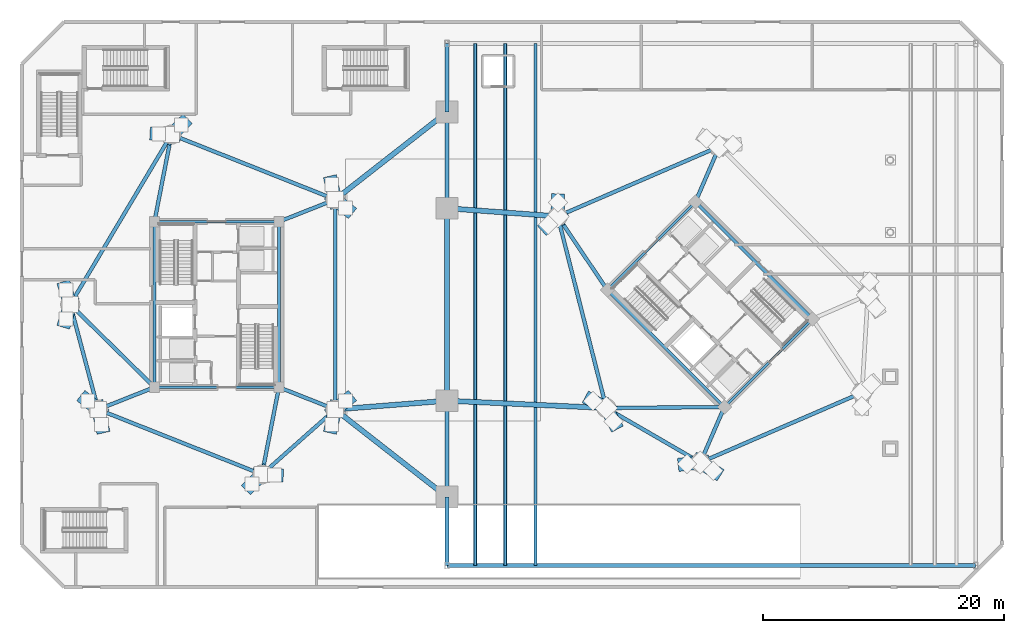
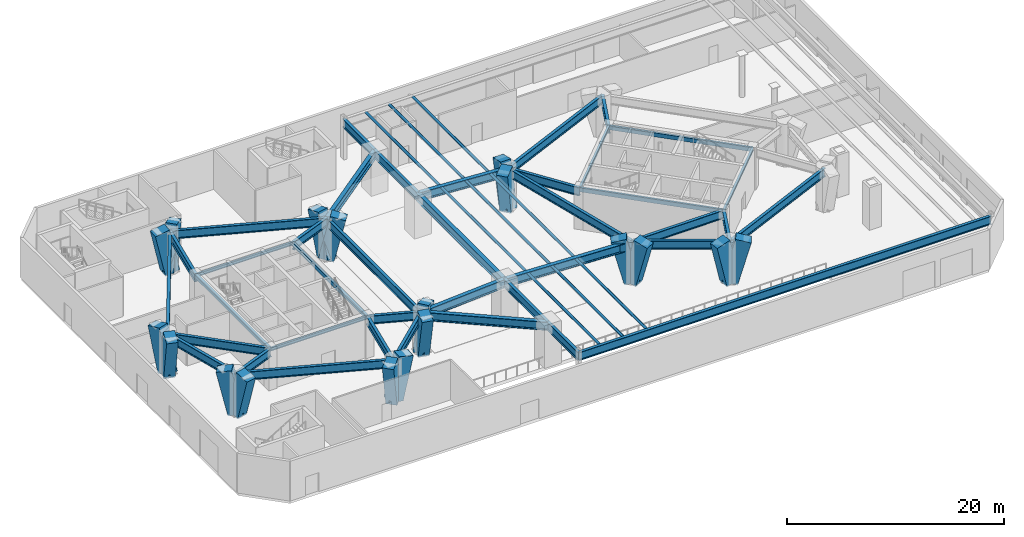
# One storey, part 3 of 17: 39 beams, 21 members.
"""IFC4 building model written with IfcOpenShell, lengths in metres."""

from ifc_helpers import new_model, si_unit, direction, frame, origin, origin_2d, place, context, subcontext, project, spatial, rectangle, hollow_rectangle, hollow_circle, i_section, extrude, material, material_profile, profile_set, type_object, element, save


model = new_model("IFC4")

# Units and contexts
model_context = context("Model", 3, precision=1e-05, world=origin(), true_north=direction((0.0, 1.0)))
body_context = subcontext(model_context, "Body", "Model", "MODEL_VIEW")
ifc_project = project(units=[si_unit("LENGTHUNIT", "METRE"), si_unit("AREAUNIT", "SQUARE_METRE"), si_unit("VOLUMEUNIT", "CUBIC_METRE"), si_unit("PLANEANGLEUNIT", "RADIAN"), si_unit("MASSUNIT", "GRAM", prefix="KILO")], contexts=[model_context])

# Site, building, storey
site_placement = place(None, origin())
site = spatial("IfcSite", under=ifc_project, at=site_placement, CompositionType="ELEMENT")
building_placement = place(site_placement, origin())
building = spatial("IfcBuilding", under=site, at=building_placement, Name="Cununo Teusaquillo Station Towers", CompositionType="ELEMENT")
storey_placement = place(building_placement, origin())
storey = spatial("IfcBuildingStorey", under=building, at=storey_placement, Name="L00", CompositionType="ELEMENT", Elevation=0.0)

# Beams
ifc_material_1 = material(Name="Steel EN 10025-2 S355J2", Category="steel")
ifc_material_profile_1 = material_profile(ifc_material_1, hollow_rectangle(XDim=0.25, YDim=0.449951171875, WallThickness=0.01611328125, at=origin_2d()), Name="RHS 450x250x16")
ifc_profile_set_1 = profile_set([ifc_material_profile_1], Name="Steel EN 10025-2 S355J2")
beam_type_1 = type_object("IfcBeamType", Name="BM-COUP-1", PredefinedType="USERDEFINED", material=ifc_profile_set_1)
for number, where, z_axis, x_axis, name in (
    (1, (11.324951171875, 17.6201171875, 4.27490234375), (0.0, 1.0, 0.0), (-1.0, 0.0, 0.0), "L00 Tower A Core Beam 1"),
    (2, (21.675048828125, 17.6201171875, 4.27490234375), (0.0, 1.0, 0.0), (-1.0, 0.0, 0.0), "L00 Tower A Core Beam 2"),
):
    element("IfcBeam", number, at=place(storey_placement, frame(where, z_axis=z_axis, x_axis=x_axis)), inside=storey, type_object=beam_type_1, Name=name, ObjectType="COUPLING BEAM", PredefinedType="USERDEFINED", context=body_context, shape_type="SweptSolid", body=[
        extrude(hollow_rectangle(XDim=0.25, YDim=0.449951171875, WallThickness=0.01611328125, at=origin_2d()), origin(), (0.0, 0.0, 1.0), 13.759765625),
    ])
for number, where, z_axis, x_axis, name in (
    (3, (58.70556640625, 15.975830078125, 4.27490234375), (-0.707106781187, 0.707106781187, 0.0), (-0.707106781187, -0.707106781187, 0.0), "L00 Tower B Core Beam 1"),
    (4, (66.024169921875, 23.29443359375, 4.27490234375), (-0.707106781187, 0.707106781187, 0.0), (-0.707106781187, -0.707106781187, 0.0), "L00 Tower B Core Beam 2"),
):
    element("IfcBeam", number, at=place(storey_placement, frame(where, z_axis=z_axis, x_axis=x_axis)), inside=storey, type_object=beam_type_1, Name=name, ObjectType="COUPLING BEAM", PredefinedType="USERDEFINED", context=body_context, shape_type="SweptSolid", body=[
        extrude(hollow_rectangle(XDim=0.25, YDim=0.449951171875, WallThickness=0.01611328125, at=origin_2d()), origin(), (0.0, 0.0, 1.0), 13.760009765625),
    ])
ifc_material_2 = material(Name="Steel ASTM A572 Grade 50", Category="steel")
ifc_material_profile_2 = material_profile(ifc_material_2, i_section(OverallWidth=0.2041015625, OverallDepth=0.35009765625, WebThickness=0.008544921875, FlangeThickness=0.01513671875, FilletRadius=0.011962890625, at=origin_2d()), Name="W14X48")
ifc_profile_set_2 = profile_set([ifc_material_profile_2], Name="Steel ASTM A572 Grade 50")
beam_type_2 = type_object("IfcBeamType", Name="BM-LINTEL-1", PredefinedType="LINTEL", material=ifc_profile_set_2)
for number, where, z_axis, x_axis, name in (
    (5, (11.324951171875, 17.6201171875, 4.324951171875), (1.0, 0.0, 0.0), (0.0, 1.0, 0.0), "L00 Tower A Core Beam 3"),
    (6, (11.324951171875, 31.3798828125, 4.324951171875), (1.0, 0.0, 0.0), (0.0, 1.0, 0.0), "L00 Tower A Core Beam 4"),
    (7, (58.70556640625, 15.975830078125, 4.324951171875), (0.707106781187, 0.707106781187, 0.0), (-0.707106781187, 0.707106781187, 0.0), "L00 Tower B Core Beam 3"),
    (8, (48.975830078125, 25.70556640625, 4.324951171875), (0.707106781187, 0.707106781187, 0.0), (-0.707106781187, 0.707106781187, 0.0), "L00 Tower B Core Beam 4"),
):
    element("IfcBeam", number, at=place(storey_placement, frame(where, z_axis=z_axis, x_axis=x_axis)), inside=storey, type_object=beam_type_2, Name=name, PredefinedType="LINTEL", context=body_context, shape_type="SweptSolid", body=[
        extrude(i_section(OverallWidth=0.2041015625, OverallDepth=0.35009765625, WebThickness=0.008544921875, FlangeThickness=0.01513671875, FilletRadius=0.011962890625, at=origin_2d()), origin(), (0.0, 0.0, 1.0), 10.35009765625),
    ])
ifc_material_3 = material(Name="Steel ASTM A572 Grade 50", Category="steel")
ifc_material_profile_3 = material_profile(ifc_material_3, i_section(OverallWidth=0.30810546875, OverallDepth=0.943115234375, WebThickness=0.022216796875, FlangeThickness=0.039794921875, FilletRadius=0.02392578125, at=origin_2d()), Name="W36X232")
ifc_profile_set_3 = profile_set([ifc_material_profile_3], Name="Steel ASTM A572 Grade 50")
beam_type_3 = type_object("IfcBeamType", Name="BM-POD-SEC", PredefinedType="BEAM", material=ifc_profile_set_3)
beam_1_placement = place(storey_placement, frame((26.347412109375, 33.228515625, 4.028564453125), z_axis=(-0.929621249939, 0.368516392664, 0.0), x_axis=(-0.368516392664, -0.929621249939, 0.0)))
element("IfcBeam", 9, at=beam_1_placement, inside=storey, type_object=beam_type_3, Name="L00 Tower A Podium Perimeter Girder 1", PredefinedType="BEAM", context=body_context, shape_type="SweptSolid", body=[
    extrude(i_section(OverallWidth=0.30810546875, OverallDepth=0.943115234375, WebThickness=0.022216796875, FlangeThickness=0.039794921875, FilletRadius=0.02392578125, at=origin_2d()), origin(), (0.0, 0.0, 1.0), 14.63916015625),
])
beam_2_placement = place(storey_placement, frame((12.738525390625, 38.623291015625, 4.028564453125), z_axis=(-0.511660099054, -0.859187955593, 0.0), x_axis=(0.859187955593, -0.511660099054, 0.0)))
element("IfcBeam", 10, at=beam_2_placement, inside=storey, type_object=beam_type_3, Name="L00 Tower A Podium Perimeter Girder 2", PredefinedType="BEAM", context=body_context, shape_type="SweptSolid", body=[
    extrude(i_section(OverallWidth=0.30810546875, OverallDepth=0.943115234375, WebThickness=0.022216796875, FlangeThickness=0.039794921875, FilletRadius=0.02392578125, at=origin_2d()), origin(), (0.0, 0.0, 1.0), 16.43798828125),
])
beam_3_placement = place(storey_placement, frame((4.327880859375, 24.5, 4.028564453125), z_axis=(0.257363196347, -0.966314744359, 0.0), x_axis=(0.966314744359, 0.257363196347, 0.0)))
element("IfcBeam", 11, at=beam_3_placement, inside=storey, type_object=beam_type_3, Name="L00 Tower A Podium Perimeter Girder 3", PredefinedType="BEAM", context=body_context, shape_type="SweptSolid", body=[
    extrude(i_section(OverallWidth=0.30810546875, OverallDepth=0.943115234375, WebThickness=0.022216796875, FlangeThickness=0.039794921875, FilletRadius=0.02392578125, at=origin_2d()), origin(), (0.0, 0.0, 1.0), 9.03271484375),
])
beam_4_placement = place(storey_placement, frame((6.652587890625, 15.771484375, 4.028564453125), z_axis=(0.929621249939, -0.368516392664, 0.0), x_axis=(0.368516392664, 0.929621249939, 0.0)))
element("IfcBeam", 12, at=beam_4_placement, inside=storey, type_object=beam_type_3, Name="L00 Tower A Podium Perimeter Girder 4", PredefinedType="BEAM", context=body_context, shape_type="SweptSolid", body=[
    extrude(i_section(OverallWidth=0.30810546875, OverallDepth=0.943115234375, WebThickness=0.022216796875, FlangeThickness=0.039794921875, FilletRadius=0.02392578125, at=origin_2d()), origin(), (0.0, 0.0, 1.0), 14.63916015625),
])
beam_5_placement = place(storey_placement, frame((20.261474609375, 10.376708984375, 4.028564453125), z_axis=(0.74832120039, 0.66333655187, 0.0), x_axis=(-0.66333655187, 0.74832120039, 0.0)))
element("IfcBeam", 13, at=beam_5_placement, inside=storey, type_object=beam_type_3, Name="L00 Tower A Podium Perimeter Girder 5", PredefinedType="BEAM", context=body_context, shape_type="SweptSolid", body=[
    extrude(i_section(OverallWidth=0.30810546875, OverallDepth=0.943115234375, WebThickness=0.022216796875, FlangeThickness=0.039794921875, FilletRadius=0.02392578125, at=origin_2d()), origin(), (0.0, 0.0, 1.0), 8.1328125),
])
beam_6_placement = place(storey_placement, frame((26.347412109375, 15.771484375, 4.028564453125), z_axis=(0.0, 1.0, 0.0), x_axis=(-1.0, 0.0, 0.0)))
element("IfcBeam", 14, at=beam_6_placement, inside=storey, type_object=beam_type_3, Name="L00 Tower A Podium Perimeter Girder 6", PredefinedType="BEAM", context=body_context, shape_type="SweptSolid", body=[
    extrude(i_section(OverallWidth=0.30810546875, OverallDepth=0.943115234375, WebThickness=0.022216796875, FlangeThickness=0.039794921875, FilletRadius=0.02392578125, at=origin_2d()), origin(), (0.0, 0.0, 1.0), 17.45703125),
])
beam_7_placement = place(storey_placement, frame((21.675048828125, 31.3798828125, 4.028564453125), z_axis=(0.929864104313, 0.367903176814, 0.0), x_axis=(-0.367903176814, 0.929864104313, 0.0)))
element("IfcBeam", 15, at=beam_7_placement, inside=storey, type_object=beam_type_3, Name="L00 Tower A Podium Radial Girder 1", PredefinedType="BEAM", context=body_context, shape_type="SweptSolid", body=[
    extrude(i_section(OverallWidth=0.30810546875, OverallDepth=0.943115234375, WebThickness=0.022216796875, FlangeThickness=0.039794921875, FilletRadius=0.02392578125, at=origin_2d()), origin(), (0.0, 0.0, 1.0), 5.02490234375),
])
beam_8_placement = place(storey_placement, frame((11.324951171875, 31.3798828125, 4.028564453125), z_axis=(0.191539895403, 0.981484828446, 0.0), x_axis=(-0.981484828446, 0.191539895403, 0.0)))
element("IfcBeam", 16, at=beam_8_placement, inside=storey, type_object=beam_type_3, Name="L00 Tower A Podium Radial Girder 2", PredefinedType="BEAM", context=body_context, shape_type="SweptSolid", body=[
    extrude(i_section(OverallWidth=0.30810546875, OverallDepth=0.943115234375, WebThickness=0.022216796875, FlangeThickness=0.039794921875, FilletRadius=0.02392578125, at=origin_2d()), origin(), (0.0, 0.0, 1.0), 7.380126953125),
])
beam_9_placement = place(storey_placement, frame((11.324951171875, 17.6201171875, 4.028564453125), z_axis=(-0.713052701438, 0.701110437073, 0.0), x_axis=(-0.701110437073, -0.713052701438, 0.0)))
element("IfcBeam", 17, at=beam_9_placement, inside=storey, type_object=beam_type_3, Name="L00 Tower A Podium Radial Girder 3", PredefinedType="BEAM", context=body_context, shape_type="SweptSolid", body=[
    extrude(i_section(OverallWidth=0.30810546875, OverallDepth=0.943115234375, WebThickness=0.022216796875, FlangeThickness=0.039794921875, FilletRadius=0.02392578125, at=origin_2d()), origin(), (0.0, 0.0, 1.0), 9.812744140625),
])
beam_10_placement = place(storey_placement, frame((11.324951171875, 17.6201171875, 4.028564453125), z_axis=(-0.929864104313, -0.367903176814, 0.0), x_axis=(0.367903176814, -0.929864104313, 0.0)))
element("IfcBeam", 18, at=beam_10_placement, inside=storey, type_object=beam_type_3, Name="L00 Tower A Podium Radial Girder 4", PredefinedType="BEAM", context=body_context, shape_type="SweptSolid", body=[
    extrude(i_section(OverallWidth=0.30810546875, OverallDepth=0.943115234375, WebThickness=0.022216796875, FlangeThickness=0.039794921875, FilletRadius=0.02392578125, at=origin_2d()), origin(), (0.0, 0.0, 1.0), 5.02490234375),
])
beam_11_placement = place(storey_placement, frame((21.675048828125, 17.6201171875, 4.028564453125), z_axis=(-0.191539895403, -0.981484828446, 0.0), x_axis=(0.981484828446, -0.191539895403, 0.0)))
element("IfcBeam", 19, at=beam_11_placement, inside=storey, type_object=beam_type_3, Name="L00 Tower A Podium Radial Girder 5", PredefinedType="BEAM", context=body_context, shape_type="SweptSolid", body=[
    extrude(i_section(OverallWidth=0.30810546875, OverallDepth=0.943115234375, WebThickness=0.022216796875, FlangeThickness=0.039794921875, FilletRadius=0.02392578125, at=origin_2d()), origin(), (0.0, 0.0, 1.0), 7.380126953125),
])
beam_12_placement = place(storey_placement, frame((21.675048828125, 17.6201171875, 4.028564453125), z_axis=(0.929864104313, -0.367903176814, 0.0), x_axis=(0.367903176814, 0.929864104313, 0.0)))
element("IfcBeam", 20, at=beam_12_placement, inside=storey, type_object=beam_type_3, Name="L00 Tower A Podium Radial Girder 6", PredefinedType="BEAM", context=body_context, shape_type="SweptSolid", body=[
    extrude(i_section(OverallWidth=0.30810546875, OverallDepth=0.943115234375, WebThickness=0.022216796875, FlangeThickness=0.039794921875, FilletRadius=0.02392578125, at=origin_2d()), origin(), (0.0, 0.0, 1.0), 5.02490234375),
])
beam_13_placement = place(storey_placement, frame((58.291015625, 37.63525390625, 4.028564453125), z_axis=(-0.917915648818, -0.396775580971, 0.0), x_axis=(0.396775580971, -0.917915648818, 0.0)))
element("IfcBeam", 21, at=beam_13_placement, inside=storey, type_object=beam_type_3, Name="L00 Tower B Podium Perimeter Girder 1", PredefinedType="BEAM", context=body_context, shape_type="SweptSolid", body=[
    extrude(i_section(OverallWidth=0.30810546875, OverallDepth=0.943115234375, WebThickness=0.022216796875, FlangeThickness=0.039794921875, FilletRadius=0.02392578125, at=origin_2d()), origin(), (0.0, 0.0, 1.0), 14.638916015625),
])
beam_14_placement = place(storey_placement, frame((44.853759765625, 31.826904296875, 4.028564453125), z_axis=(0.245731928557, -0.969337825161, 0.0), x_axis=(0.969337825161, 0.245731928557, 0.0)))
element("IfcBeam", 22, at=beam_14_placement, inside=storey, type_object=beam_type_3, Name="L00 Tower B Podium Perimeter Girder 2", PredefinedType="BEAM", context=body_context, shape_type="SweptSolid", body=[
    extrude(i_section(OverallWidth=0.30810546875, OverallDepth=0.943115234375, WebThickness=0.022216796875, FlangeThickness=0.039794921875, FilletRadius=0.02392578125, at=origin_2d()), origin(), (0.0, 0.0, 1.0), 16.437744140625),
])
beam_15_placement = place(storey_placement, frame((48.89306640625, 15.89306640625, 4.028564453125), z_axis=(0.865267103202, -0.501311121078, 0.0), x_axis=(0.501311121078, 0.865267103202, 0.0)))
element("IfcBeam", 23, at=beam_15_placement, inside=storey, type_object=beam_type_3, Name="L00 Tower B Podium Perimeter Girder 3", PredefinedType="BEAM", context=body_context, shape_type="SweptSolid", body=[
    extrude(i_section(OverallWidth=0.30810546875, OverallDepth=0.943115234375, WebThickness=0.022216796875, FlangeThickness=0.039794921875, FilletRadius=0.02392578125, at=origin_2d()), origin(), (0.0, 0.0, 1.0), 9.032958984375),
])
beam_16_placement = place(storey_placement, frame((56.708984375, 11.36474609375, 4.028564453125), z_axis=(0.917915648818, 0.396775580971, 0.0), x_axis=(-0.396775580971, 0.917915648818, 0.0)))
element("IfcBeam", 24, at=beam_16_placement, inside=storey, type_object=beam_type_3, Name="L00 Tower B Podium Perimeter Girder 4", PredefinedType="BEAM", context=body_context, shape_type="SweptSolid", body=[
    extrude(i_section(OverallWidth=0.30810546875, OverallDepth=0.943115234375, WebThickness=0.022216796875, FlangeThickness=0.039794921875, FilletRadius=0.02392578125, at=origin_2d()), origin(), (0.0, 0.0, 1.0), 14.638916015625),
])
beam_17_placement = place(storey_placement, frame((56.29443359375, 33.024169921875, 4.028564453125), z_axis=(0.397346986387, 0.917668443616, 0.0), x_axis=(-0.917668443616, 0.397346986387, 0.0)))
element("IfcBeam", 25, at=beam_17_placement, inside=storey, type_object=beam_type_3, Name="L00 Tower B Podium Radial Girder 1", PredefinedType="BEAM", context=body_context, shape_type="SweptSolid", body=[
    extrude(i_section(OverallWidth=0.30810546875, OverallDepth=0.943115234375, WebThickness=0.022216796875, FlangeThickness=0.039794921875, FilletRadius=0.02392578125, at=origin_2d()), origin(), (0.0, 0.0, 1.0), 5.02490234375),
])
beam_18_placement = place(storey_placement, frame((48.975830078125, 25.70556640625, 4.028564453125), z_axis=(-0.558557182486, 0.829466017323, 0.0), x_axis=(-0.829466017323, -0.558557182486, 0.0)))
element("IfcBeam", 26, at=beam_18_placement, inside=storey, type_object=beam_type_3, Name="L00 Tower B Podium Radial Girder 2", PredefinedType="BEAM", context=body_context, shape_type="SweptSolid", body=[
    extrude(i_section(OverallWidth=0.30810546875, OverallDepth=0.943115234375, WebThickness=0.022216796875, FlangeThickness=0.039794921875, FilletRadius=0.02392578125, at=origin_2d()), origin(), (0.0, 0.0, 1.0), 7.3798828125),
])
beam_19_placement = place(storey_placement, frame((58.70556640625, 15.975830078125, 4.028564453125), z_axis=(-0.999964431382, -0.008434214327, 0.0), x_axis=(0.008434214327, -0.999964431382, 0.0)))
element("IfcBeam", 27, at=beam_19_placement, inside=storey, type_object=beam_type_3, Name="L00 Tower B Podium Radial Girder 3", PredefinedType="BEAM", context=body_context, shape_type="SweptSolid", body=[
    extrude(i_section(OverallWidth=0.30810546875, OverallDepth=0.943115234375, WebThickness=0.022216796875, FlangeThickness=0.039794921875, FilletRadius=0.02392578125, at=origin_2d()), origin(), (0.0, 0.0, 1.0), 9.812744140625),
])
beam_20_placement = place(storey_placement, frame((58.70556640625, 15.975830078125, 4.028564453125), z_axis=(-0.397346986387, -0.917668443616, 0.0), x_axis=(0.917668443616, -0.397346986387, 0.0)))
element("IfcBeam", 28, at=beam_20_placement, inside=storey, type_object=beam_type_3, Name="L00 Tower B Podium Radial Girder 4", PredefinedType="BEAM", context=body_context, shape_type="SweptSolid", body=[
    extrude(i_section(OverallWidth=0.30810546875, OverallDepth=0.943115234375, WebThickness=0.022216796875, FlangeThickness=0.039794921875, FilletRadius=0.02392578125, at=origin_2d()), origin(), (0.0, 0.0, 1.0), 5.02490234375),
])
beam_21_placement = place(storey_placement, frame((35.64990234375, 2.800048828125, 4.028564453125), z_axis=(0.0, 1.0, 0.0), x_axis=(-1.0, 0.0, 0.0)))
element("IfcBeam", 29, at=beam_21_placement, inside=storey, type_object=beam_type_3, Name="L00 Station Podium Girder NS-1", PredefinedType="BEAM", context=body_context, shape_type="SweptSolid", body=[
    extrude(i_section(OverallWidth=0.30810546875, OverallDepth=0.943115234375, WebThickness=0.022216796875, FlangeThickness=0.039794921875, FilletRadius=0.02392578125, at=origin_2d()), origin(), (0.0, 0.0, 1.0), 5.699951171875),
])
for number, where, z_axis, x_axis, name in (
    (30, (35.64990234375, 8.5, 4.028564453125), (0.0, 1.0, 0.0), (-1.0, 0.0, 0.0), "L00 Station Podium Girder NS-2"),
    (31, (35.64990234375, 32.5, 4.028564453125), (0.0, 1.0, 0.0), (-1.0, 0.0, 0.0), "L00 Station Podium Girder NS-3"),
):
    element("IfcBeam", number, at=place(storey_placement, frame(where, z_axis=z_axis, x_axis=x_axis)), inside=storey, type_object=beam_type_3, Name=name, PredefinedType="BEAM", context=body_context, shape_type="SweptSolid", body=[
        extrude(i_section(OverallWidth=0.30810546875, OverallDepth=0.943115234375, WebThickness=0.022216796875, FlangeThickness=0.039794921875, FilletRadius=0.02392578125, at=origin_2d()), origin(), (0.0, 0.0, 1.0), 8.0),
    ])
beam_22_placement = place(storey_placement, frame((35.64990234375, 40.5, 4.028564453125), z_axis=(0.0, 1.0, 0.0), x_axis=(-1.0, 0.0, 0.0)))
element("IfcBeam", 32, at=beam_22_placement, inside=storey, type_object=beam_type_3, Name="L00 Station Podium Girder NS-4", PredefinedType="BEAM", context=body_context, shape_type="SweptSolid", body=[
    extrude(i_section(OverallWidth=0.30810546875, OverallDepth=0.943115234375, WebThickness=0.022216796875, FlangeThickness=0.039794921875, FilletRadius=0.02392578125, at=origin_2d()), origin(), (0.0, 0.0, 1.0), 5.699951171875),
])
beam_23_placement = place(storey_placement, frame((35.64990234375, 2.800048828125, 4.028564453125), z_axis=(1.0, 0.0, 0.0), x_axis=(0.0, 1.0, 0.0)))
element("IfcBeam", 33, at=beam_23_placement, inside=storey, type_object=beam_type_3, Name="L00 Station Podium Girder CAN-S", PredefinedType="BEAM", context=body_context, shape_type="SweptSolid", body=[
    extrude(i_section(OverallWidth=0.30810546875, OverallDepth=0.943115234375, WebThickness=0.022216796875, FlangeThickness=0.039794921875, FilletRadius=0.02392578125, at=origin_2d()), origin(), (0.0, 0.0, 1.0), 43.9501953125),
])
ifc_material_4 = material(Name="Steel ASTM A572 Grade 50", Category="steel")
ifc_material_profile_4 = material_profile(ifc_material_4, i_section(OverallWidth=0.423095703125, OverallDepth=0.947998046875, WebThickness=0.02392578125, FlangeThickness=0.042724609375, FilletRadius=0.02392578125, at=origin_2d()), Name="W36X302")
ifc_profile_set_4 = profile_set([ifc_material_profile_4], Name="Steel ASTM A572 Grade 50")
beam_type_4 = type_object("IfcBeamType", Name="BM-POD-SPAN", PredefinedType="BEAM", material=ifc_profile_set_4)
beam_24_placement = place(storey_placement, frame((35.64990234375, 16.5, 4.02587890625), z_axis=(0.0, 1.0, 0.0), x_axis=(-1.0, 0.0, 0.0)))
element("IfcBeam", 34, at=beam_24_placement, inside=storey, type_object=beam_type_4, Name="L00 Station Podium Girder NS-HALL", PredefinedType="BEAM", context=body_context, shape_type="SweptSolid", body=[
    extrude(i_section(OverallWidth=0.423095703125, OverallDepth=0.947998046875, WebThickness=0.02392578125, FlangeThickness=0.042724609375, FilletRadius=0.02392578125, at=origin_2d()), origin(), (0.0, 0.0, 1.0), 16.0),
])
for number, where, z_axis, x_axis, name in (
    (35, (26.347412109375, 33.228515625, 4.02587890625), (0.787863531103, 0.615849865112, 0.0), (-0.615849865112, 0.787863531103, 0.0), "L00 Station Podium Girder EW-N"),
    (36, (26.347412109375, 15.771484375, 4.02587890625), (0.787863531103, -0.615849865112, 0.0), (0.615849865112, 0.787863531103, 0.0), "L00 Station Podium Girder EW-S"),
):
    element("IfcBeam", number, at=place(storey_placement, frame(where, z_axis=z_axis, x_axis=x_axis)), inside=storey, type_object=beam_type_4, Name=name, PredefinedType="BEAM", context=body_context, shape_type="SweptSolid", body=[
        extrude(i_section(OverallWidth=0.423095703125, OverallDepth=0.947998046875, WebThickness=0.02392578125, FlangeThickness=0.042724609375, FilletRadius=0.02392578125, at=origin_2d()), origin(), (0.0, 0.0, 1.0), 11.80712890625),
    ])
beam_25_placement = place(storey_placement, frame((26.347412109375, 15.771484375, 4.02587890625), z_axis=(0.996947489132, 0.078074989045, 0.0), x_axis=(-0.078074989045, 0.996947489132, 0.0)))
element("IfcBeam", 37, at=beam_25_placement, inside=storey, type_object=beam_type_4, Name="L00 Station Podium Girder EW-M1", PredefinedType="BEAM", context=body_context, shape_type="SweptSolid", body=[
    extrude(i_section(OverallWidth=0.423095703125, OverallDepth=0.947998046875, WebThickness=0.02392578125, FlangeThickness=0.042724609375, FilletRadius=0.02392578125, at=origin_2d()), origin(), (0.0, 0.0, 1.0), 9.3310546875),
])
beam_26_placement = place(storey_placement, frame((35.64990234375, 32.5, 4.02587890625), z_axis=(0.997336540567, -0.072937129429, 0.0), x_axis=(0.072937129429, 0.997336540567, 0.0)))
element("IfcBeam", 38, at=beam_26_placement, inside=storey, type_object=beam_type_4, Name="L00 Station Podium Girder EW-M2", PredefinedType="BEAM", context=body_context, shape_type="SweptSolid", body=[
    extrude(i_section(OverallWidth=0.423095703125, OverallDepth=0.947998046875, WebThickness=0.02392578125, FlangeThickness=0.042724609375, FilletRadius=0.02392578125, at=origin_2d()), origin(), (0.0, 0.0, 1.0), 9.228515625),
])
beam_27_placement = place(storey_placement, frame((35.64990234375, 16.5, 4.02587890625), z_axis=(0.998951459145, -0.045781898965, 0.0), x_axis=(0.045781898965, 0.998951459145, 0.0)))
element("IfcBeam", 39, at=beam_27_placement, inside=storey, type_object=beam_type_4, Name="L00 Station Podium Girder EW-M3", PredefinedType="BEAM", context=body_context, shape_type="SweptSolid", body=[
    extrude(i_section(OverallWidth=0.423095703125, OverallDepth=0.947998046875, WebThickness=0.02392578125, FlangeThickness=0.042724609375, FilletRadius=0.02392578125, at=origin_2d()), origin(), (0.0, 0.0, 1.0), 13.257080078125),
])

# Members
ifc_material_5 = material(Name="Steel EN 10025-2 S355J2", Category="steel")
ifc_material_profile_5 = material_profile(ifc_material_5, hollow_circle(Radius=0.136474609375, WallThickness=0.011962890625, at=origin_2d()), Name="CHS 273x12")
ifc_profile_set_5 = profile_set([ifc_material_profile_5], Name="Steel EN 10025-2 S355J2")
member_type_1 = type_object("IfcMemberType", Name="MBR-CAN-PUR", PredefinedType="PURLIN", material=ifc_profile_set_5)
for number, where, z_axis, x_axis, name in (
    (40, (38.0, 2.800048828125, 4.360107421875), (0.0, 1.0, 0.0), (-1.0, 0.0, 0.0), "L00 Station Concourse Roof Purlin 1"),
    (41, (40.5, 2.800048828125, 4.360107421875), (0.0, 1.0, 0.0), (-1.0, 0.0, 0.0), "L00 Station Concourse Roof Purlin 2"),
    (42, (43.0, 2.800048828125, 4.360107421875), (0.0, 1.0, 0.0), (-1.0, 0.0, 0.0), "L00 Station Concourse Roof Purlin 3"),
):
    element("IfcMember", number, at=place(storey_placement, frame(where, z_axis=z_axis, x_axis=x_axis)), inside=storey, type_object=member_type_1, Name=name, PredefinedType="PURLIN", context=body_context, shape_type="SweptSolid", body=[
        extrude(hollow_circle(Radius=0.136474609375, WallThickness=0.011962890625, at=origin_2d()), origin(), (0.0, 0.0, 1.0), 43.39990234375),
    ])
ifc_material_6 = material(Name="Concrete C60/75", Category="concrete")
ifc_material_profile_6 = material_profile(ifc_material_6, rectangle(XDim=1.10009765625, YDim=1.5, at=origin_2d()), Name="RC-RECT-1500x1100")
ifc_profile_set_6 = profile_set([ifc_material_profile_6], Name="Concrete C60/75")
member_type_2 = type_object("IfcMemberType", Name="MBR-VFOOT", PredefinedType="USERDEFINED", material=ifc_profile_set_6)
member_1_placement = place(storey_placement, frame((26.347412109375, 33.228515625, 0.0), z_axis=(0.177492145775, -0.142974281488, 0.973681104377), x_axis=(0.627314895884, 0.778765703792, 0.0)))
element("IfcMember", 43, at=member_1_placement, inside=storey, type_object=member_type_2, Name="L00 Tower A Sloping Concrete V-Foot V02L", ObjectType="V FOOT STRUT", PredefinedType="USERDEFINED", context=body_context, shape_type="SweptSolid", body=[
    extrude(rectangle(XDim=1.10009765625, YDim=1.5, at=origin_2d()), origin(), (0.0, 0.0, 1.0), 4.9296875),
])
member_2_placement = place(storey_placement, frame((26.347412109375, 33.228515625, 0.0), z_axis=(-0.056406430211, 0.24893578878, 0.966876045673), x_axis=(-0.975276487682, -0.22098817293, 0.0)))
element("IfcMember", 44, at=member_2_placement, inside=storey, type_object=member_type_2, Name="L00 Tower A Sloping Concrete V-Foot V02R", ObjectType="V FOOT STRUT", PredefinedType="USERDEFINED", context=body_context, shape_type="SweptSolid", body=[
    extrude(rectangle(XDim=1.10009765625, YDim=1.5, at=origin_2d()), origin(), (0.0, 0.0, 1.0), 4.964599609375),
])
member_3_placement = place(storey_placement, frame((12.738525390625, 38.623291015625, 0.0), z_axis=(0.166323558245, 0.162068999646, 0.972661355934), x_axis=(-0.697887143244, 0.716207745905, 0.0)))
element("IfcMember", 45, at=member_3_placement, inside=storey, type_object=member_type_2, Name="L00 Tower A Sloping Concrete V-Foot V06L", ObjectType="V FOOT STRUT", PredefinedType="USERDEFINED", context=body_context, shape_type="SweptSolid", body=[
    extrude(rectangle(XDim=1.10009765625, YDim=1.5, at=origin_2d()), origin(), (0.0, 0.0, 1.0), 4.93505859375),
])
member_4_placement = place(storey_placement, frame((12.738525390625, 38.623291015625, 0.0), z_axis=(-0.213262299695, 0.011925198492, 0.976922198115), x_axis=(-0.055830768661, -0.998440246219, 0.0)))
element("IfcMember", 46, at=member_4_placement, inside=storey, type_object=member_type_2, Name="L00 Tower A Sloping Concrete V-Foot V06R", ObjectType="V FOOT STRUT", PredefinedType="USERDEFINED", context=body_context, shape_type="SweptSolid", body=[
    extrude(rectangle(XDim=1.10009765625, YDim=1.5, at=origin_2d()), origin(), (0.0, 0.0, 1.0), 4.913330078125),
])
for number, where, z_axis, x_axis, name in (
    (47, (4.327880859375, 24.5, 0.0), (-0.074108957098, 0.241764479563, 0.967500800465), (-0.956089839546, -0.293073742796, 0.0), "L00 Tower A Sloping Concrete V-Foot V10L"),
    (48, (4.327880859375, 24.5, 0.0), (-0.074108957098, -0.241764479563, 0.967500800465), (0.956089839546, -0.293073742796, 0.0), "L00 Tower A Sloping Concrete V-Foot V10R"),
):
    element("IfcMember", number, at=place(storey_placement, frame(where, z_axis=z_axis, x_axis=x_axis)), inside=storey, type_object=member_type_2, Name=name, ObjectType="V FOOT STRUT", PredefinedType="USERDEFINED", context=body_context, shape_type="SweptSolid", body=[
        extrude(rectangle(XDim=1.10009765625, YDim=1.5, at=origin_2d()), origin(), (0.0, 0.0, 1.0), 4.961181640625),
    ])
member_5_placement = place(storey_placement, frame((6.652587890625, 15.771484375, 0.0), z_axis=(-0.177492145775, 0.142974281488, 0.973681104377), x_axis=(-0.627314895884, -0.778765703792, 0.0)))
element("IfcMember", 49, at=member_5_placement, inside=storey, type_object=member_type_2, Name="L00 Tower A Sloping Concrete V-Foot V12L", ObjectType="V FOOT STRUT", PredefinedType="USERDEFINED", context=body_context, shape_type="SweptSolid", body=[
    extrude(rectangle(XDim=1.10009765625, YDim=1.5, at=origin_2d()), origin(), (0.0, 0.0, 1.0), 4.9296875),
])
member_6_placement = place(storey_placement, frame((6.652587890625, 15.771484375, 0.0), z_axis=(0.056406430211, -0.24893578878, 0.966876045673), x_axis=(0.975276487682, 0.22098817293, 0.0)))
element("IfcMember", 50, at=member_6_placement, inside=storey, type_object=member_type_2, Name="L00 Tower A Sloping Concrete V-Foot V12R", ObjectType="V FOOT STRUT", PredefinedType="USERDEFINED", context=body_context, shape_type="SweptSolid", body=[
    extrude(rectangle(XDim=1.10009765625, YDim=1.5, at=origin_2d()), origin(), (0.0, 0.0, 1.0), 4.964599609375),
])
member_7_placement = place(storey_placement, frame((20.261474609375, 10.376708984375, 0.0), z_axis=(-0.166323558245, -0.162068999646, 0.972661355934), x_axis=(0.697887143244, -0.716207745905, 0.0)))
element("IfcMember", 51, at=member_7_placement, inside=storey, type_object=member_type_2, Name="L00 Tower A Sloping Concrete V-Foot V16L", ObjectType="V FOOT STRUT", PredefinedType="USERDEFINED", context=body_context, shape_type="SweptSolid", body=[
    extrude(rectangle(XDim=1.10009765625, YDim=1.5, at=origin_2d()), origin(), (0.0, 0.0, 1.0), 4.93505859375),
])
member_8_placement = place(storey_placement, frame((20.261474609375, 10.376708984375, 0.0), z_axis=(0.213262299695, -0.011925198492, 0.976922198115), x_axis=(0.055830768661, 0.998440246219, 0.0)))
element("IfcMember", 52, at=member_8_placement, inside=storey, type_object=member_type_2, Name="L00 Tower A Sloping Concrete V-Foot V16R", ObjectType="V FOOT STRUT", PredefinedType="USERDEFINED", context=body_context, shape_type="SweptSolid", body=[
    extrude(rectangle(XDim=1.10009765625, YDim=1.5, at=origin_2d()), origin(), (0.0, 0.0, 1.0), 4.913330078125),
])
member_9_placement = place(storey_placement, frame((26.347412109375, 15.771484375, 0.0), z_axis=(-0.056406430211, -0.24893578878, 0.966876045673), x_axis=(0.975276487682, -0.22098817293, 0.0)))
element("IfcMember", 53, at=member_9_placement, inside=storey, type_object=member_type_2, Name="L00 Tower A Sloping Concrete V-Foot V18L", ObjectType="V FOOT STRUT", PredefinedType="USERDEFINED", context=body_context, shape_type="SweptSolid", body=[
    extrude(rectangle(XDim=1.10009765625, YDim=1.5, at=origin_2d()), origin(), (0.0, 0.0, 1.0), 4.964599609375),
])
member_10_placement = place(storey_placement, frame((26.347412109375, 15.771484375, 0.0), z_axis=(0.177492145775, 0.142974281488, 0.973681104377), x_axis=(-0.627314895884, 0.778765703792, 0.0)))
element("IfcMember", 54, at=member_10_placement, inside=storey, type_object=member_type_2, Name="L00 Tower A Sloping Concrete V-Foot V18R", ObjectType="V FOOT STRUT", PredefinedType="USERDEFINED", context=body_context, shape_type="SweptSolid", body=[
    extrude(rectangle(XDim=1.10009765625, YDim=1.5, at=origin_2d()), origin(), (0.0, 0.0, 1.0), 4.9296875),
])
member_11_placement = place(storey_placement, frame((44.853759765625, 31.826904296875, 0.0), z_axis=(0.002968289374, 0.232219172025, 0.972658956368), x_axis=(-0.999918316729, 0.012781231147, 0.0)))
element("IfcMember", 55, at=member_11_placement, inside=storey, type_object=member_type_2, Name="L00 Tower B Sloping Concrete V-Foot V06L", ObjectType="V FOOT STRUT", PredefinedType="USERDEFINED", context=body_context, shape_type="SweptSolid", body=[
    extrude(rectangle(XDim=1.10009765625, YDim=1.5, at=origin_2d()), origin(), (0.0, 0.0, 1.0), 4.93505859375),
])
member_12_placement = place(storey_placement, frame((44.853759765625, 31.826904296875, 0.0), z_axis=(-0.159299243252, -0.142355686812, 0.976912795254), x_axis=(0.66633923762, -0.74564872454, 0.0)))
element("IfcMember", 56, at=member_12_placement, inside=storey, type_object=member_type_2, Name="L00 Tower B Sloping Concrete V-Foot V06R", ObjectType="V FOOT STRUT", PredefinedType="USERDEFINED", context=body_context, shape_type="SweptSolid", body=[
    extrude(rectangle(XDim=1.10009765625, YDim=1.5, at=origin_2d()), origin(), (0.0, 0.0, 1.0), 4.91357421875),
])
for number, where, z_axis, x_axis, name in (
    (57, (48.89306640625, 15.89306640625, 0.0), (-0.223360209849, 0.1185447776, 0.967500569695), (-0.468799477282, -0.883304619087, 0.0), "L00 Tower B Sloping Concrete V-Foot V10L"),
    (58, (48.89306640625, 15.89306640625, 0.0), (0.1185447776, -0.223360209849, 0.967500569695), (0.883304619087, 0.468799477282, 0.0), "L00 Tower B Sloping Concrete V-Foot V10R"),
):
    element("IfcMember", number, at=place(storey_placement, frame(where, z_axis=z_axis, x_axis=x_axis)), inside=storey, type_object=member_type_2, Name=name, ObjectType="V FOOT STRUT", PredefinedType="USERDEFINED", context=body_context, shape_type="SweptSolid", body=[
        extrude(rectangle(XDim=1.10009765625, YDim=1.5, at=origin_2d()), origin(), (0.0, 0.0, 1.0), 4.961181640625),
    ])
member_13_placement = place(storey_placement, frame((56.708984375, 11.36474609375, 0.0), z_axis=(-0.226618876156, -0.024365491055, 0.97367869845), x_axis=(0.106901367586, -0.994269630235, 0.0)))
element("IfcMember", 59, at=member_13_placement, inside=storey, type_object=member_type_2, Name="L00 Tower B Sloping Concrete V-Foot V12L", ObjectType="V FOOT STRUT", PredefinedType="USERDEFINED", context=body_context, shape_type="SweptSolid", body=[
    extrude(rectangle(XDim=1.10009765625, YDim=1.5, at=origin_2d()), origin(), (0.0, 0.0, 1.0), 4.9296875),
])
member_14_placement = place(storey_placement, frame((56.708984375, 11.36474609375, 0.0), z_axis=(0.215843160907, -0.136125283525, 0.966892774342), x_axis=(0.533441820632, 0.845836759665, 0.0)))
element("IfcMember", 60, at=member_14_placement, inside=storey, type_object=member_type_2, Name="L00 Tower B Sloping Concrete V-Foot V12R", ObjectType="V FOOT STRUT", PredefinedType="USERDEFINED", context=body_context, shape_type="SweptSolid", body=[
    extrude(rectangle(XDim=1.10009765625, YDim=1.5, at=origin_2d()), origin(), (0.0, 0.0, 1.0), 4.96435546875),
])

save(model, "model.ifc")
